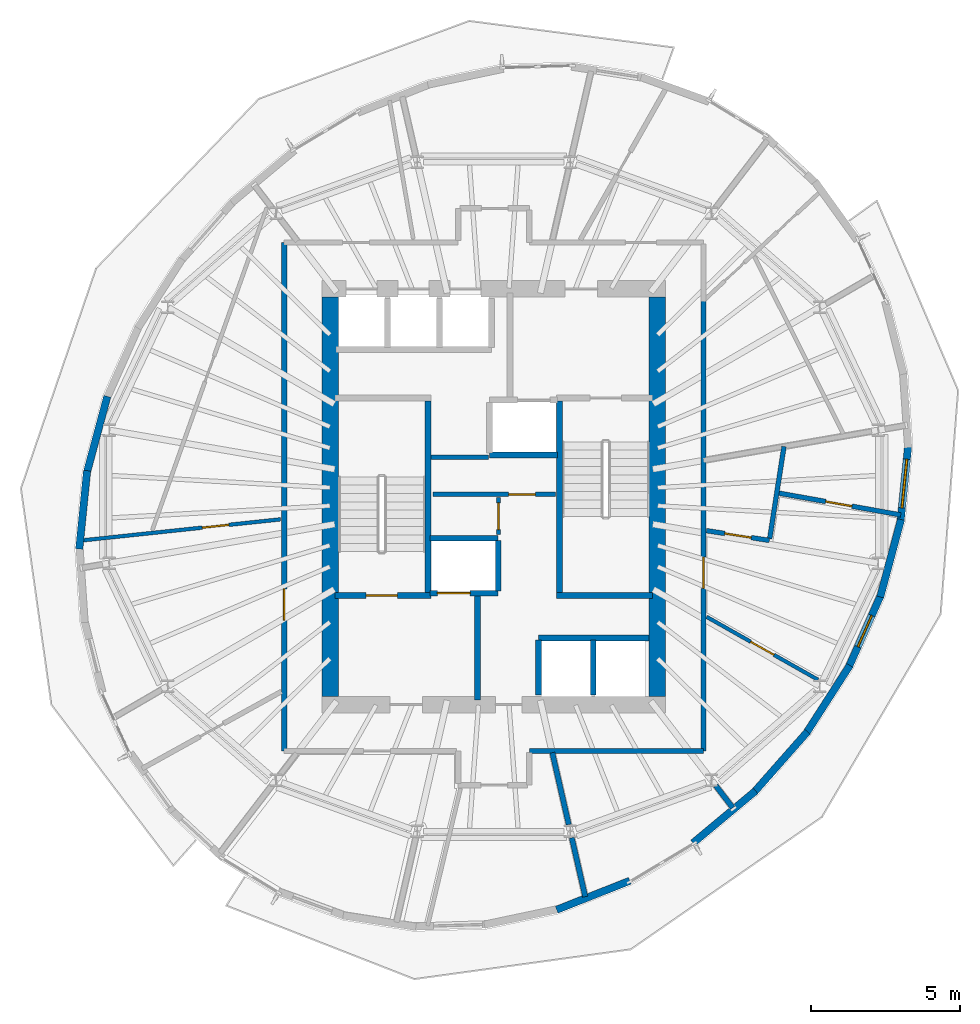
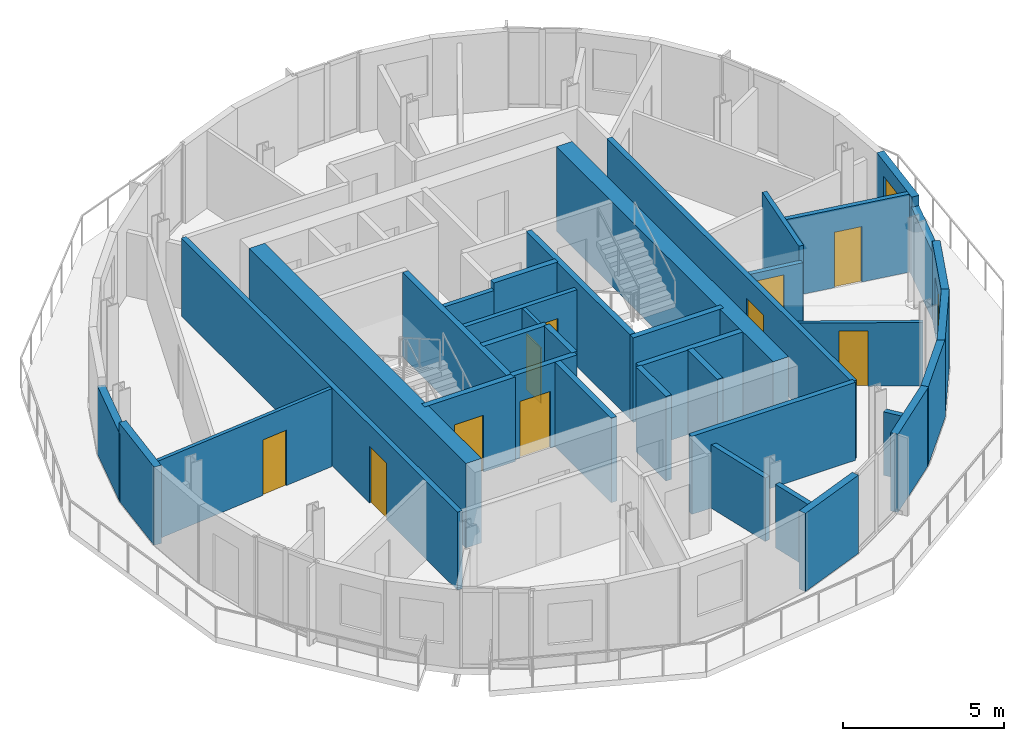
# One storey, part 5 of 11: 37 walls, 11 doors, 1 window, 12 openings.
"""IFC4 building model written with IfcOpenShell, lengths in metres."""

import ifcopenshell
import ifcopenshell.guid

model = None  # the IFC model being written
_history = None  # IfcOwnerHistory: only IFC2X3 demands one
_inside = {}  # id of a spatial element -> (the spatial element, [elements in it])
_under = {}  # id of a project, library or spatial element -> (it, [spatial elements below it])
_declared = {}  # id of a project -> (the project, [libraries it declares])
_typed = {}  # id of a type object -> (the type object, [elements of that type])
_made_of = {}  # id of a material, layer set ... -> (it, [elements and type objects made of it])


def new_model(schema):
    """Start an empty IFC model of exactly this schema.

    Asked for "IFC4X3", IfcOpenShell would pick the latest addendum, in which some entities
    have other attributes; the version numbers below select the first issue.
    IFC2X3 requires an IfcOwnerHistory on every rooted entity: one is made here for all.
    """
    global model, _history
    if schema == "IFC4X3":
        model = ifcopenshell.file(schema_version=(4, 3, 0, 0))
    else:
        model = ifcopenshell.file(schema=schema)
    _inside.clear()
    _under.clear()
    _declared.clear()
    _typed.clear()
    _made_of.clear()
    _history = None
    if model.schema == "IFC2X3":
        org = make("IfcOrganization", Name="unknown")
        user = make(
            "IfcPersonAndOrganization",
            ThePerson=make("IfcPerson", FamilyName="unknown"),
            TheOrganization=org,
        )
        app = make(
            "IfcApplication",
            ApplicationDeveloper=org,
            Version="unknown",
            ApplicationFullName="unknown",
            ApplicationIdentifier="unknown",
        )
        _history = make(
            "IfcOwnerHistory",
            OwningUser=user,
            OwningApplication=app,
            ChangeAction="ADDED",
            CreationDate=0,
        )
    return model


def make(cls, **values):
    """One entity of the class cls with the attributes given. An attribute that is None is left unset."""
    return model.create_entity(
        cls, **{name: value for name, value in values.items() if value is not None}
    )


def rooted(cls, **values):
    """An entity with a GlobalId (a new one), such as an element, a storey or a relation."""
    return make(cls, GlobalId=ifcopenshell.guid.new(), OwnerHistory=_history, **values)


def si_unit(unit_type, name, prefix=None):
    """IfcSIUnit, for example si_unit("LENGTHUNIT", "METRE", prefix="MILLI")."""
    return make("IfcSIUnit", UnitType=unit_type, Prefix=prefix, Name=name)


def assignment(units):
    """IfcUnitAssignment: the units of a project."""
    return None if units is None else make("IfcUnitAssignment", Units=units)


def point(xyz):
    """IfcCartesianPoint."""
    return None if xyz is None else make("IfcCartesianPoint", Coordinates=xyz)


def direction(xyz):
    """IfcDirection."""
    return None if xyz is None else make("IfcDirection", DirectionRatios=xyz)


def frame(location, z_axis=None, x_axis=None):
    """IfcAxis2Placement3D, a coordinate frame: its origin and axes. An axis left out is left unset."""
    return make(
        "IfcAxis2Placement3D",
        Location=point(location),
        Axis=direction(z_axis),
        RefDirection=direction(x_axis),
    )


def frame_2d(location, x_axis=None):
    """IfcAxis2Placement2D, a coordinate frame in the plane: its origin and x axis."""
    return make(
        "IfcAxis2Placement2D", Location=point(location), RefDirection=direction(x_axis)
    )


def origin():
    """The frame at (0, 0, 0) with its axes left unset."""
    return frame((0.0, 0.0, 0.0))


def place(relative_to, where):
    """IfcLocalPlacement: puts the frame where relative to a parent placement (None: the world)."""
    return make(
        "IfcLocalPlacement", PlacementRelTo=relative_to, RelativePlacement=where
    )


def context(
    kind, dimensions, precision=None, world=None, true_north=None, identifier=None
):
    """IfcGeometricRepresentationContext, for example the 3D "Model" context."""
    return make(
        "IfcGeometricRepresentationContext",
        ContextIdentifier=identifier,
        ContextType=kind,
        CoordinateSpaceDimension=dimensions,
        Precision=precision,
        WorldCoordinateSystem=world,
        TrueNorth=true_north,
    )


def subcontext(parent, identifier, kind, view, scale=None):
    """IfcGeometricRepresentationSubContext, for example "Body" below "Model"."""
    return make(
        "IfcGeometricRepresentationSubContext",
        ContextIdentifier=identifier,
        ContextType=kind,
        ParentContext=parent,
        TargetScale=scale,
        TargetView=view,
    )


def project(units=None, contexts=None):
    """IfcProject with its units and contexts."""
    return rooted(
        "IfcProject",
        Name="project",
        RepresentationContexts=contexts,
        UnitsInContext=assignment(units),
    )


def spatial(cls, under=None, at=None, **own):
    """A site, building, storey or space (cls), placed at a placement, below another one or the project."""
    s = rooted(cls, ObjectPlacement=at, **own)
    if under is not None:
        _under.setdefault(under.id(), (under, []))[1].append(s)
    return s


def profile(cls, at=None, kind="AREA", **sizes):
    """A parametric profile (cls). Its sizes go by their IFC names, for example OverallWidth=200.0."""
    return make(cls, ProfileType=kind, Position=at, **sizes)


def rectangle(**sizes):
    """IfcRectangleProfileDef."""
    return profile("IfcRectangleProfileDef", **sizes)


def extrude(swept, where, along, depth):
    """IfcExtrudedAreaSolid: the profile swept, set in the frame where, extruded along a direction by depth."""
    return make(
        "IfcExtrudedAreaSolid",
        SweptArea=swept,
        Position=where,
        ExtrudedDirection=direction(along),
        Depth=depth,
    )


def shape(context_of_items, identifier, shape_type, items):
    """IfcShapeRepresentation: the items that make up one representation, for example the "Body"."""
    return make(
        "IfcShapeRepresentation",
        ContextOfItems=context_of_items,
        RepresentationIdentifier=identifier,
        RepresentationType=shape_type,
        Items=items,
    )


def material(Name=None, Category=None):
    """IfcMaterial."""
    return make("IfcMaterial", Name=Name, Category=Category)


def layer(
    of_material, thickness, ventilated=None, Name=None, Category=None, Priority=None
):
    """IfcMaterialLayer: one layer of a wall or slab, of a material (None: an air gap)."""
    return make(
        "IfcMaterialLayer",
        Material=of_material,
        LayerThickness=thickness,
        IsVentilated=ventilated,
        Name=Name,
        Category=Category,
        Priority=Priority,
    )


def layer_set(layers, Name=None):
    """IfcMaterialLayerSet."""
    return make("IfcMaterialLayerSet", MaterialLayers=layers, LayerSetName=Name)


def made_of(thing, what):
    """Note that an element or type object is made of a material, layer set ...; save() writes the relation."""
    if what is not None:
        _made_of.setdefault(what.id(), (what, []))[1].append(thing)
    return thing


def type_object(cls, material=None, **own):
    """A type object (cls), such as IfcWallType, which elements share."""
    return made_of(rooted(cls, **own), material)


def element(
    cls,
    number,
    at=None,
    inside=None,
    cuts=None,
    type_object=None,
    material=None,
    context=None,
    identifier="Body",
    shape_type=None,
    held_by="IfcProductDefinitionShape",
    body=None,
    shapes=None,
    **own,
):
    """One element of the class cls, such as IfcWall. Its Tag is "e" and its number.

    at: its placement. inside: the storey or other place that contains it. cuts: it is an
    opening in that element (IfcRelVoidsElement). A single representation is given by context,
    identifier, shape_type and body (its items); several are given by shapes. held_by: the class
    of the entity that holds the representations. save() writes the other relations.
    """
    e = rooted(cls, Tag="e%d" % number, ObjectPlacement=at, **own)
    if body is not None:
        shapes = [shape(context, identifier, shape_type, body)]
    if shapes is not None:
        e.Representation = make(held_by, Representations=shapes)
    if inside is not None:
        _inside.setdefault(inside.id(), (inside, []))[1].append(e)
    if cuts is not None:
        rooted(
            "IfcRelVoidsElement", RelatingBuildingElement=cuts, RelatedOpeningElement=e
        )
    if type_object is not None:
        _typed.setdefault(type_object.id(), (type_object, []))[1].append(e)
    return made_of(e, material)


def fill(opening, filler):
    """IfcRelFillsElement: the door or window that sits in an opening."""
    return rooted(
        "IfcRelFillsElement",
        RelatingOpeningElement=opening,
        RelatedBuildingElement=filler,
    )


def aggregate(whole, parts):
    """IfcRelAggregates: a whole, such as a stair, and the parts it consists of."""
    return rooted("IfcRelAggregates", RelatingObject=whole, RelatedObjects=parts)


def save(model, path):
    """Write the relations noted so far, then the file.

    IfcRelAggregates (storeys below a building ...), IfcRelContainedInSpatialStructure (elements
    in a storey), IfcRelDefinesByType, IfcRelAssociatesMaterial and IfcRelDeclares: one each for
    every whole, place, type object, material and project.
    """
    for whole, parts in _under.values():
        aggregate(whole, parts)
    for where, things in _inside.values():
        rooted(
            "IfcRelContainedInSpatialStructure",
            RelatedElements=things,
            RelatingStructure=where,
        )
    for kind, things in _typed.values():
        rooted("IfcRelDefinesByType", RelatedObjects=things, RelatingType=kind)
    for what, things in _made_of.values():
        rooted("IfcRelAssociatesMaterial", RelatedObjects=things, RelatingMaterial=what)
    for by, libraries in _declared.values():
        rooted("IfcRelDeclares", RelatingContext=by, RelatedDefinitions=libraries)
    model.write(path)


model = new_model("IFC4")

# Units and contexts
model_context = context("Model", 3, precision=1e-05, world=origin(), true_north=direction((0.0, 1.0)))
body_context = subcontext(model_context, "Body", "Model", "MODEL_VIEW")
ifc_project = project(units=[si_unit("LENGTHUNIT", "METRE"), si_unit("AREAUNIT", "SQUARE_METRE"), si_unit("VOLUMEUNIT", "CUBIC_METRE"), si_unit("PLANEANGLEUNIT", "RADIAN"), si_unit("MASSUNIT", "GRAM", prefix="KILO")], contexts=[model_context])

# Site, building, storey
site_placement = place(None, origin())
site = spatial("IfcSite", under=ifc_project, at=site_placement, CompositionType="ELEMENT")
building_placement = place(site_placement, origin())
building = spatial("IfcBuilding", under=site, at=building_placement, Name="Veldorim Arch Residences", CompositionType="ELEMENT")
storey_placement = place(building_placement, frame((0.0, 0.0, 214.239990234375)))
storey = spatial("IfcBuildingStorey", under=building, at=storey_placement, Name="L64", CompositionType="ELEMENT", Elevation=214.239990234375)

# Wall, opening, door
ifc_material_1 = material(Name="Acoustic Gypsum Board", Category="gypsum")
ifc_layer_1 = layer(ifc_material_1, 0.125, Name="Acoustic Stud Room Partition Wall 125")
ifc_layer_set_1 = layer_set([ifc_layer_1], Name="Acoustic Gypsum Board")
wall_type_1 = type_object("IfcWallType", Name="Acoustic Stud Room Partition Wall 125", PredefinedType="PARTITIONING", material=ifc_layer_set_1)
wall_1_placement = place(storey_placement, frame((32.159912109375, 22.719970703125, 0.0), z_axis=(0.0, 0.0, 1.0), x_axis=(0.0, 1.0, 0.0)))
wall_1 = element("IfcWall", 1, at=wall_1_placement, inside=storey, type_object=wall_type_1, Name="L64 interior wall WL-CA-L64-2", PredefinedType="PARTITIONING", context=body_context, shape_type="SweptSolid", body=[
    extrude(rectangle(XDim=1.25, YDim=0.125, at=frame_2d((0.625, 0.0))), origin(), (0.0, 0.0, 1.0), 2.955078125),
])
opening_1_placement = place(wall_1_placement, frame((0.169921875, 0.0, 0.0)))
opening_1 = element("IfcOpeningElement", 2, at=opening_1_placement, cuts=wall_1, Name="Opening DR-SVC", PredefinedType="OPENING", context=body_context, shape_type="SweptSolid", body=[
    extrude(rectangle(XDim=0.89990234375, YDim=2.10009765625, at=frame_2d((0.449951171875, 1.050048828125))), frame((0.0, 0.072509765625, 0.0), z_axis=(0.0, -1.0, 0.0), x_axis=(1.0, 0.0, 0.0)), (0.0, 0.0, 1.0), 0.14501953125),
])
ifc_material_2 = material(Name="Fire-Rated Steel", Category="steel")
door_type_1 = type_object("IfcDoorType", Name="Riser, Shelter & Plant Room Rated Steel Door 900x2100", OperationType="SINGLE_SWING_LEFT", PredefinedType="DOOR", material=ifc_material_2)
door_1_placement = place(opening_1_placement, origin())
door_1 = element("IfcDoor", 3, at=door_1_placement, inside=storey, type_object=door_type_1, Name="L64 interior door DR-L64-CA2", OperationType="SINGLE_SWING_RIGHT", OverallHeight=2.10009765625, OverallWidth=0.89990234375, PredefinedType="DOOR", context=body_context, shape_type="SweptSolid", body=[
    extrude(rectangle(XDim=0.89990234375, YDim=2.10009765625, at=frame_2d((0.449951171875, 1.050048828125))), frame((0.0, 0.02490234375, 0.0), z_axis=(0.0, -1.0, 0.0), x_axis=(1.0, 0.0, 0.0)), (0.0, 0.0, 1.0), 0.050048828125),
])
fill(opening_1, door_1)

wall_2_placement = place(storey_placement, frame((42.916748046875, 17.83740234375, 0.0), z_axis=(0.0, 0.0, 1.0), x_axis=(-0.870825482781, 0.491592288933, 0.0)))
wall_2 = element("IfcWall", 4, at=wall_2_placement, inside=storey, type_object=wall_type_1, Name="L64 interior wall WL-RES-L64-018", PredefinedType="PARTITIONING", context=body_context, shape_type="SweptSolid", body=[
    extrude(rectangle(XDim=4.308837890625, YDim=0.125, at=frame_2d((2.154296875, 0.0))), origin(), (0.0, 0.0, 1.0), 2.4033203125),
])
opening_2_placement = place(wall_2_placement, frame((1.70458984375, 0.0, 0.0)))
opening_2 = element("IfcOpeningElement", 5, at=opening_2_placement, cuts=wall_2, Name="Opening DR-INT", PredefinedType="OPENING", context=body_context, shape_type="SweptSolid", body=[
    extrude(rectangle(XDim=0.89990234375, YDim=2.10009765625, at=frame_2d((0.449951171875, 1.050048828125))), frame((0.0, 0.072509765625, 0.0), z_axis=(0.0, -1.0, 0.0), x_axis=(1.0, 0.0, 0.0)), (0.0, 0.0, 1.0), 0.14501953125),
])
ifc_material_3 = material(Name="Engineered Timber", Category="wood")
door_type_2 = type_object("IfcDoorType", Name="Apartment Internal Room Timber Door 900x2100", OperationType="SINGLE_SWING_LEFT", PredefinedType="DOOR", material=ifc_material_3)
door_2_placement = place(opening_2_placement, origin())
door_2 = element("IfcDoor", 6, at=door_2_placement, inside=storey, type_object=door_type_2, Name="L64 interior door DR-RES-L64-005", OperationType="SINGLE_SWING_LEFT", OverallHeight=2.10009765625, OverallWidth=0.89990234375, PredefinedType="DOOR", context=body_context, shape_type="SweptSolid", body=[
    extrude(rectangle(XDim=0.89990234375, YDim=2.10009765625, at=frame_2d((0.449951171875, 1.050048828125))), frame((0.0, 0.02490234375, 0.0), z_axis=(0.0, -1.0, 0.0), x_axis=(1.0, 0.0, 0.0)), (0.0, 0.0, 1.0), 0.050048828125),
])
fill(opening_2, door_2)

wall_3_placement = place(storey_placement, frame((18.085693359375, 22.5224609375, 0.0), z_axis=(0.0, 0.0, 1.0), x_axis=(0.994410835851, 0.105579778091, 0.0)))
wall_3 = element("IfcWall", 7, at=wall_3_placement, inside=storey, type_object=wall_type_1, Name="L64 interior wall WL-RES-L64-029", PredefinedType="PARTITIONING", context=body_context, shape_type="SweptSolid", body=[
    extrude(rectangle(XDim=6.77294921875, YDim=0.125, at=frame_2d((3.386474609375, 0.0))), origin(), (0.0, 0.0, 1.0), 2.955078125),
])
opening_3_placement = place(wall_3_placement, frame((4.124267578125, 0.0, 0.0)))
opening_3 = element("IfcOpeningElement", 8, at=opening_3_placement, cuts=wall_3, Name="Opening DR-INT", PredefinedType="OPENING", context=body_context, shape_type="SweptSolid", body=[
    extrude(rectangle(XDim=0.89990234375, YDim=2.10009765625, at=frame_2d((0.449951171875, 1.050048828125))), frame((0.0, 0.072509765625, 0.0), z_axis=(0.0, -1.0, 0.0), x_axis=(1.0, 0.0, 0.0)), (0.0, 0.0, 1.0), 0.14501953125),
])
door_3_placement = place(opening_3_placement, origin())
door_3 = element("IfcDoor", 9, at=door_3_placement, inside=storey, type_object=door_type_2, Name="L64 interior door DR-RES-L64-015", OperationType="SINGLE_SWING_LEFT", OverallHeight=2.10009765625, OverallWidth=0.89990234375, PredefinedType="DOOR", context=body_context, shape_type="SweptSolid", body=[
    extrude(rectangle(XDim=0.89990234375, YDim=2.10009765625, at=frame_2d((0.449951171875, 1.050048828125))), frame((0.0, 0.02490234375, 0.0), z_axis=(0.0, -1.0, 0.0), x_axis=(1.0, 0.0, 0.0)), (0.0, 0.0, 1.0), 0.050048828125),
])
fill(opening_3, door_3)

# Walls
ifc_material_4 = material(Name="Lightweight Masonry Block & Gypsum", Category="masonry")
ifc_layer_2 = layer(ifc_material_4, 0.179931640625, Name="Compartment & Corridor Fire-Rated Party Wall 180")
ifc_layer_set_2 = layer_set([ifc_layer_2], Name="Lightweight Masonry Block & Gypsum")
wall_type_2 = type_object("IfcWallType", Name="Compartment & Corridor Fire-Rated Party Wall 180", PredefinedType="PARTITIONING", material=ifc_layer_set_2)
wall_4_placement = place(storey_placement, frame((34.62646484375, 12.516845703125, 0.0), z_axis=(0.0, 0.0, 1.0), x_axis=(0.222932254148, -0.974833939736, 0.0)))
element("IfcWall", 10, at=wall_4_placement, inside=storey, type_object=wall_type_2, Name="L64 interior wall WL-PIER-L64-13", PredefinedType="PARTITIONING", context=body_context, shape_type="SweptSolid", body=[
    extrude(rectangle(XDim=2.035888671875, YDim=0.179931640625, at=frame_2d((1.01806640625, 0.0))), origin(), (0.0, 0.0, 1.0), 2.4033203125),
])
wall_5_placement = place(storey_placement, frame((39.473388671875, 14.272705078125, 0.0), z_axis=(0.0, 0.0, 1.0), x_axis=(0.60903478373, -0.793143512995, 0.0)))
element("IfcWall", 11, at=wall_5_placement, inside=storey, type_object=wall_type_2, Name="L64 interior wall WL-PIER-L64-14", PredefinedType="PARTITIONING", context=body_context, shape_type="SweptSolid", body=[
    extrude(rectangle(XDim=0.94287109375, YDim=0.179931640625, at=frame_2d((0.471435546875, 0.0))), origin(), (0.0, 0.0, 1.0), 2.4033203125),
])
wall_6_placement = place(storey_placement, frame((39.06005859375, 15.43994140625, 0.0), z_axis=(0.0, 0.0, 1.0), x_axis=(-1.0, 0.0, 0.0)))
element("IfcWall", 12, at=wall_6_placement, inside=storey, type_object=wall_type_2, Name="L64 interior wall WL-RES-L64-001", PredefinedType="PARTITIONING", context=body_context, shape_type="SweptSolid", body=[
    extrude(rectangle(XDim=5.860107421875, YDim=0.179931640625, at=frame_2d((2.93017578125, 0.0))), origin(), (0.0, 0.0, 1.0), 2.955078125),
])

# Wall, opening, door
wall_7_placement = place(storey_placement, frame((39.06005859375, 30.622802734375, 0.0), z_axis=(0.0, 0.0, 1.0), x_axis=(0.0, -1.0, 0.0)))
wall_7 = element("IfcWall", 13, at=wall_7_placement, inside=storey, type_object=wall_type_2, Name="L64 interior wall WL-RES-L64-006", PredefinedType="PARTITIONING", context=body_context, shape_type="SweptSolid", body=[
    extrude(rectangle(XDim=15.182861328125, YDim=0.179931640625, at=frame_2d((7.59130859375, 0.0))), origin(), (0.0, 0.0, 1.0), 2.955078125),
])
opening_4_placement = place(wall_7_placement, frame((8.656005859375, 0.0, 0.0)))
opening_4 = element("IfcOpeningElement", 14, at=opening_4_placement, cuts=wall_7, Name="Opening DR-FLT", PredefinedType="OPENING", context=body_context, shape_type="SweptSolid", body=[
    extrude(rectangle(XDim=1.050048828125, YDim=2.14990234375, at=frame_2d((0.52490234375, 1.074951171875))), frame((0.0, 0.099853515625, 0.0), z_axis=(0.0, -1.0, 0.0), x_axis=(1.0, 0.0, 0.0)), (0.0, 0.0, 1.0), 0.199951171875),
])
ifc_material_5 = material(Name="Fire-Rated Timber", Category="wood")
door_type_3 = type_object("IfcDoorType", Name="Apartment Entrance Solid-Core Fire Door 1050x2150", OperationType="SINGLE_SWING_LEFT", PredefinedType="DOOR", material=ifc_material_5)
door_4_placement = place(opening_4_placement, origin())
door_4 = element("IfcDoor", 15, at=door_4_placement, inside=storey, type_object=door_type_3, Name="L64 interior door DR-RES-L64-003", OperationType="SINGLE_SWING_LEFT", OverallHeight=2.14990234375, OverallWidth=1.050048828125, PredefinedType="DOOR", context=body_context, shape_type="SweptSolid", body=[
    extrude(rectangle(XDim=1.050048828125, YDim=2.14990234375, at=frame_2d((0.52490234375, 1.074951171875))), frame((0.0, 0.02490234375, 0.0), z_axis=(0.0, -1.0, 0.0), x_axis=(1.0, 0.0, 0.0)), (0.0, 0.0, 1.0), 0.050048828125),
])
fill(opening_4, door_4)

wall_8_placement = place(storey_placement, frame((24.93994140625, 15.43994140625, 0.0), z_axis=(0.0, 0.0, 1.0), x_axis=(0.0, 1.0, 0.0)))
wall_8 = element("IfcWall", 16, at=wall_8_placement, inside=storey, type_object=wall_type_2, Name="L64 interior wall WL-RES-L64-013", PredefinedType="PARTITIONING", context=body_context, shape_type="SweptSolid", body=[
    extrude(rectangle(XDim=17.1201171875, YDim=0.179931640625, at=frame_2d((8.56005859375, 0.0))), origin(), (0.0, 0.0, 1.0), 2.955078125),
])
opening_5_placement = place(wall_8_placement, frame((4.404296875, 0.0, 0.0)))
opening_5 = element("IfcOpeningElement", 17, at=opening_5_placement, cuts=wall_8, Name="Opening DR-FLT", PredefinedType="OPENING", context=body_context, shape_type="SweptSolid", body=[
    extrude(rectangle(XDim=1.050048828125, YDim=2.14990234375, at=frame_2d((0.52490234375, 1.074951171875))), frame((0.0, 0.099853515625, 0.0), z_axis=(0.0, -1.0, 0.0), x_axis=(1.0, 0.0, 0.0)), (0.0, 0.0, 1.0), 0.199951171875),
])
door_5_placement = place(opening_5_placement, origin())
door_5 = element("IfcDoor", 18, at=door_5_placement, inside=storey, type_object=door_type_3, Name="L64 interior door DR-RES-L64-013", OperationType="SINGLE_SWING_LEFT", OverallHeight=2.14990234375, OverallWidth=1.050048828125, PredefinedType="DOOR", context=body_context, shape_type="SweptSolid", body=[
    extrude(rectangle(XDim=1.050048828125, YDim=2.14990234375, at=frame_2d((0.52490234375, 1.074951171875))), frame((0.0, 0.02490234375, 0.0), z_axis=(0.0, -1.0, 0.0), x_axis=(1.0, 0.0, 0.0)), (0.0, 0.0, 1.0), 0.050048828125),
])
fill(opening_5, door_5)

# Walls
wall_9_placement = place(storey_placement, frame((33.97119140625, 15.381591796875, 0.0), z_axis=(0.0, 0.0, 1.0), x_axis=(0.222950196428, -0.974829836388, 0.0)))
element("IfcWall", 19, at=wall_9_placement, inside=storey, type_object=wall_type_2, Name="L64 interior wall WL-RES-L64-015", PredefinedType="PARTITIONING", context=body_context, shape_type="SweptSolid", body=[
    extrude(rectangle(XDim=2.484619140625, YDim=0.179931640625, at=frame_2d((1.2421875, 0.0))), origin(), (0.0, 0.0, 1.0), 2.4033203125),
])
ifc_material_6 = material(Name="Concrete C50/60", Category="concrete")
ifc_layer_3 = layer(ifc_material_6, 0.199951171875, Name="Core Stair & Lift Shaft Enclosure Wall 200")
ifc_layer_set_3 = layer_set([ifc_layer_3], Name="Concrete C50/60")
wall_type_3 = type_object("IfcWallType", Name="Core Stair & Lift Shaft Enclosure Wall 200", PredefinedType="SHEAR", material=ifc_layer_set_3)
wall_10_placement = place(storey_placement, frame((29.7900390625, 20.780029296875, 0.0), z_axis=(0.0, 0.0, 1.0), x_axis=(0.0, 1.0, 0.0)))
element("IfcWall", 20, at=wall_10_placement, inside=storey, type_object=wall_type_3, Name="L64 shaft wall WL-SHF-L64-ST1-E", PredefinedType="SHEAR", context=body_context, shape_type="SweptSolid", body=[
    extrude(rectangle(XDim=6.43994140625, YDim=0.199951171875, at=frame_2d((3.219970703125, 0.0))), origin(), (0.0, 0.0, 1.0), 3.199951171875),
])

# Wall, opening, door
wall_11_placement = place(storey_placement, frame((26.64990234375, 20.669921875, 0.0), z_axis=(0.0, 0.0, 1.0), x_axis=(1.0, 0.0, 0.0)))
wall_11 = element("IfcWall", 21, at=wall_11_placement, inside=storey, type_object=wall_type_3, Name="L64 shaft wall WL-SHF-L64-ST1-S", PredefinedType="SHEAR", context=body_context, shape_type="SweptSolid", body=[
    extrude(rectangle(XDim=3.239990234375, YDim=0.199951171875, at=frame_2d((1.6201171875, 0.0))), origin(), (0.0, 0.0, 1.0), 3.199951171875),
])
opening_6_placement = place(wall_11_placement, frame((1.054931640625, 0.0, 0.0)))
opening_6 = element("IfcOpeningElement", 22, at=opening_6_placement, cuts=wall_11, Name="Opening DR-ST", PredefinedType="OPENING", context=body_context, shape_type="SweptSolid", body=[
    extrude(rectangle(XDim=1.050048828125, YDim=2.14990234375, at=frame_2d((0.52490234375, 1.074951171875))), frame((0.0, 0.10986328125, 0.0), z_axis=(0.0, -1.0, 0.0), x_axis=(1.0, 0.0, 0.0)), (0.0, 0.0, 1.0), 0.219970703125),
])
ifc_material_7 = material(Name="Fire-Rated Steel", Category="steel")
door_type_4 = type_object("IfcDoorType", Name="Exit Staircase Self-Closing Fire Door 1050x2150", OperationType="SINGLE_SWING_LEFT", PredefinedType="DOOR", material=ifc_material_7)
door_6_placement = place(opening_6_placement, origin())
door_6 = element("IfcDoor", 23, at=door_6_placement, inside=storey, type_object=door_type_4, Name="L64 interior door DR-L64-ST1", OperationType="SINGLE_SWING_LEFT", OverallHeight=2.14990234375, OverallWidth=1.050048828125, PredefinedType="DOOR", context=body_context, shape_type="SweptSolid", body=[
    extrude(rectangle(XDim=1.050048828125, YDim=2.14990234375, at=frame_2d((0.52490234375, 1.074951171875))), frame((0.0, 0.02490234375, 0.0), z_axis=(0.0, -1.0, 0.0), x_axis=(1.0, 0.0, 0.0)), (0.0, 0.0, 1.0), 0.050048828125),
])
fill(opening_6, door_6)

# Walls
wall_12_placement = place(storey_placement, frame((34.2099609375, 20.780029296875, 0.0), z_axis=(0.0, 0.0, 1.0), x_axis=(0.0, 1.0, 0.0)))
element("IfcWall", 24, at=wall_12_placement, inside=storey, type_object=wall_type_3, Name="L64 shaft wall WL-SHF-L64-ST2-W", PredefinedType="SHEAR", context=body_context, shape_type="SweptSolid", body=[
    extrude(rectangle(XDim=6.43994140625, YDim=0.199951171875, at=frame_2d((3.219970703125, 0.0))), origin(), (0.0, 0.0, 1.0), 3.199951171875),
])
wall_13_placement = place(storey_placement, frame((34.110107421875, 20.669921875, 0.0), z_axis=(0.0, 0.0, 1.0), x_axis=(1.0, 0.0, 0.0)))
element("IfcWall", 25, at=wall_13_placement, inside=storey, type_object=wall_type_3, Name="L64 shaft wall WL-SHF-L64-ST2-S", PredefinedType="SHEAR", context=body_context, shape_type="SweptSolid", body=[
    extrude(rectangle(XDim=3.239990234375, YDim=0.199951171875, at=frame_2d((1.6201171875, 0.0))), origin(), (0.0, 0.0, 1.0), 3.199951171875),
])
wall_14_placement = place(storey_placement, frame((31.449951171875, 17.14990234375, 0.0), z_axis=(0.0, 0.0, 1.0), x_axis=(0.0, 1.0, 0.0)))
element("IfcWall", 26, at=wall_14_placement, inside=storey, type_object=wall_type_3, Name="L64 shaft wall WL-FFL1-L64-E", PredefinedType="SHEAR", context=body_context, shape_type="SweptSolid", body=[
    extrude(rectangle(XDim=3.5, YDim=0.199951171875, at=frame_2d((1.75, 0.0))), origin(), (0.0, 0.0, 1.0), 3.199951171875),
])

# Wall, opening, door
wall_15_placement = place(storey_placement, frame((29.85009765625, 20.75, 0.0), z_axis=(0.0, 0.0, 1.0), x_axis=(1.0, 0.0, 0.0)))
wall_15 = element("IfcWall", 27, at=wall_15_placement, inside=storey, type_object=wall_type_3, Name="L64 shaft wall WL-FL01-L64-S", PredefinedType="SHEAR", context=body_context, shape_type="SweptSolid", body=[
    extrude(rectangle(XDim=2.2998046875, YDim=0.199951171875, at=frame_2d((1.14990234375, 0.0))), origin(), (0.0, 0.0, 1.0), 3.199951171875),
])
opening_7_placement = place(wall_15_placement, frame((0.25, 0.0, 0.0)))
opening_7 = element("IfcOpeningElement", 28, at=opening_7_placement, cuts=wall_15, Name="Opening LD-FF", PredefinedType="OPENING", context=body_context, shape_type="SweptSolid", body=[
    extrude(rectangle(XDim=1.10009765625, YDim=2.14990234375, at=frame_2d((0.550048828125, 1.074951171875))), frame((0.0, 0.10986328125, 0.0), z_axis=(0.0, -1.0, 0.0), x_axis=(1.0, 0.0, 0.0)), (0.0, 0.0, 1.0), 0.219970703125),
])
ifc_material_8 = material(Name="Stainless Steel", Category="steel")
door_type_5 = type_object("IfcDoorType", Name="Firefighting Lift Bi-Parting Sliding Landing Door 1100x2150", OperationType="DOUBLE_DOOR_SLIDING", PredefinedType="DOOR", material=ifc_material_8)
door_7_placement = place(opening_7_placement, origin())
door_7 = element("IfcDoor", 29, at=door_7_placement, inside=storey, type_object=door_type_5, Name="L64 lift landing door LD-L64-FL01", OperationType="DOUBLE_DOOR_SLIDING", OverallHeight=2.14990234375, OverallWidth=1.10009765625, PredefinedType="DOOR", context=body_context, shape_type="SweptSolid", body=[
    extrude(rectangle(XDim=1.10009765625, YDim=2.14990234375, at=frame_2d((0.550048828125, 1.074951171875))), frame((0.0, 0.02490234375, 0.0), z_axis=(0.0, -1.0, 0.0), x_axis=(1.0, 0.0, 0.0)), (0.0, 0.0, 1.0), 0.050048828125),
])
fill(opening_7, door_7)

# Walls
wall_16_placement = place(storey_placement, frame((29.85009765625, 22.60009765625, 0.0), z_axis=(0.0, 0.0, 1.0), x_axis=(1.0, 0.0, 0.0)))
element("IfcWall", 30, at=wall_16_placement, inside=storey, type_object=wall_type_3, Name="L64 shaft wall WL-FL01-L64-N", PredefinedType="SHEAR", context=body_context, shape_type="SweptSolid", body=[
    extrude(rectangle(XDim=2.2998046875, YDim=0.199951171875, at=frame_2d((1.14990234375, 0.0))), origin(), (0.0, 0.0, 1.0), 3.199951171875),
])
wall_17_placement = place(storey_placement, frame((32.14990234375, 20.820068359375, 0.0), z_axis=(0.0, 0.0, 1.0), x_axis=(0.0, 1.0, 0.0)))
element("IfcWall", 31, at=wall_17_placement, inside=storey, type_object=wall_type_3, Name="L64 shaft wall WL-FL01-L64-E", PredefinedType="SHEAR", context=body_context, shape_type="SweptSolid", body=[
    extrude(rectangle(XDim=1.7099609375, YDim=0.199951171875, at=frame_2d((0.85498046875, 0.0))), origin(), (0.0, 0.0, 1.0), 3.199951171875),
])
wall_18_placement = place(storey_placement, frame((31.85009765625, 25.39990234375, 0.0), z_axis=(0.0, 0.0, 1.0), x_axis=(1.0, 0.0, 0.0)))
element("IfcWall", 32, at=wall_18_placement, inside=storey, type_object=wall_type_3, Name="L64 shaft wall WL-FL02-L64-S", PredefinedType="SHEAR", context=body_context, shape_type="SweptSolid", body=[
    extrude(rectangle(XDim=2.2998046875, YDim=0.199951171875, at=frame_2d((1.14990234375, 0.0))), origin(), (0.0, 0.0, 1.0), 3.199951171875),
])
wall_19_placement = place(storey_placement, frame((33.5, 19.25, 0.0), z_axis=(0.0, 0.0, 1.0), x_axis=(1.0, 0.0, 0.0)))
element("IfcWall", 33, at=wall_19_placement, inside=storey, type_object=wall_type_3, Name="L64 shaft wall WL-OL-L64-N", PredefinedType="SHEAR", context=body_context, shape_type="SweptSolid", body=[
    extrude(rectangle(XDim=3.719970703125, YDim=0.199951171875, at=frame_2d((1.85986328125, 0.0))), origin(), (0.0, 0.0, 1.0), 3.199951171875),
])
for number, where, z_axis, x_axis, name in (
    (34, (33.5, 17.320068359375, 0.0), (0.0, 0.0, 1.0), (0.0, 1.0, 0.0), "L64 shaft wall WL-OL-L64-W"),
    (35, (35.35009765625, 17.320068359375, 0.0), (0.0, 0.0, 1.0), (0.0, 1.0, 0.0), "L64 shaft wall WL-OL-L64-D1"),
):
    element("IfcWall", number, at=place(storey_placement, frame(where, z_axis=z_axis, x_axis=x_axis)), inside=storey, type_object=wall_type_3, Name=name, PredefinedType="SHEAR", context=body_context, shape_type="SweptSolid", body=[
        extrude(rectangle(XDim=1.85986328125, YDim=0.199951171875, at=frame_2d((0.929931640625, 0.0))), origin(), (0.0, 0.0, 1.0), 3.199951171875),
    ])
ifc_material_9 = material(Name="Precast concrete C40/50", Category="concrete")
ifc_layer_4 = layer(ifc_material_9, 0.25, Name="Tower Terracotta Spandrel & Pier Wall 250")
ifc_layer_set_4 = layer_set([ifc_layer_4], Name="Precast concrete C40/50")
wall_type_4 = type_object("IfcWallType", Name="Tower Terracotta Spandrel & Pier Wall 250", PredefinedType="SOLIDWALL", material=ifc_layer_set_4)
wall_20_placement = place(storey_placement, frame((18.28759765625, 24.768310546875, 0.0), z_axis=(0.0, 0.0, 1.0), x_axis=(0.259023691836, 0.965870968126, 0.0)))
element("IfcWall", 36, at=wall_20_placement, inside=storey, type_object=wall_type_4, Name="L64 terracotta facade wall 12", PredefinedType="SOLIDWALL", context=body_context, shape_type="SweptSolid", body=[
    extrude(rectangle(XDim=2.701416015625, YDim=0.25, at=frame_2d((1.3505859375, 0.0))), origin(), (0.0, 0.0, 1.0), 2.576904296875),
])
for number, where, z_axis, x_axis, name in (
    (37, (18.0419921875, 22.238525390625, 0.0), (0.0, 0.0, 1.0), (0.100196668354, 0.99496765156, 0.0), "L64 terracotta facade wall 13"),
    (38, (36.580322265625, 11.066650390625, 0.0), (0.0, 0.0, 1.0), (-0.929861098324, -0.36791077427, 0.0), "L64 terracotta facade wall 24"),
):
    element("IfcWall", number, at=place(storey_placement, frame(where, z_axis=z_axis, x_axis=x_axis)), inside=storey, type_object=wall_type_4, Name=name, PredefinedType="SOLIDWALL", context=body_context, shape_type="SweptSolid", body=[
        extrude(rectangle(XDim=2.651123046875, YDim=0.25, at=frame_2d((1.32568359375, 0.0))), origin(), (0.0, 0.0, 1.0), 2.9599609375),
    ])
wall_21_placement = place(storey_placement, frame((40.815673828125, 14.093505859375, 0.0), z_axis=(0.0, 0.0, 1.0), x_axis=(-0.76821397209, -0.640193168571, 0.0)))
element("IfcWall", 39, at=wall_21_placement, inside=storey, type_object=wall_type_4, Name="L64 terracotta facade wall 26", PredefinedType="SOLIDWALL", context=body_context, shape_type="SweptSolid", body=[
    extrude(rectangle(XDim=2.738525390625, YDim=0.25, at=frame_2d((1.369140625, 0.0))), origin(), (0.0, 0.0, 1.0), 2.9599609375),
])
for number, where, z_axis, x_axis, name in (
    (40, (42.562744140625, 16.08544921875, 0.0), (0.0, 0.0, 1.0), (-0.661694827408, -0.749773269317, 0.0), "L64 terracotta facade wall 27"),
    (41, (43.98828125, 18.31884765625, 0.0), (0.0, 0.0, 1.0), (-0.540690479286, -0.841221615039, 0.0), "L64 terracotta facade wall 28"),
):
    element("IfcWall", number, at=place(storey_placement, frame(where, z_axis=z_axis, x_axis=x_axis)), inside=storey, type_object=wall_type_4, Name=name, PredefinedType="SOLIDWALL", context=body_context, shape_type="SweptSolid", body=[
        extrude(rectangle(XDim=2.758056640625, YDim=0.25, at=frame_2d((1.37890625, 0.0))), origin(), (0.0, 0.0, 1.0), 2.9599609375),
    ])

# Wall, opening, door
wall_22_placement = place(storey_placement, frame((45.049072265625, 20.7255859375, 0.0), z_axis=(0.0, 0.0, 1.0), x_axis=(-0.40624599189, -0.913763751783, 0.0)))
wall_22 = element("IfcWall", 42, at=wall_22_placement, inside=storey, type_object=wall_type_4, Name="L64 terracotta facade wall 29", PredefinedType="SOLIDWALL", context=body_context, shape_type="SweptSolid", body=[
    extrude(rectangle(XDim=2.738525390625, YDim=0.25, at=frame_2d((1.369140625, 0.0))), origin(), (0.0, 0.0, 1.0), 2.9599609375),
])
opening_8_placement = place(wall_22_placement, frame((0.7939453125, 0.0, 0.0)))
opening_8 = element("IfcOpeningElement", 43, at=opening_8_placement, cuts=wall_22, Name="Opening BL-DR", PredefinedType="OPENING", context=body_context, shape_type="SweptSolid", body=[
    extrude(rectangle(XDim=1.14990234375, YDim=2.199951171875, at=frame_2d((0.574951171875, 1.10009765625))), frame((0.0, 0.135009765625, 0.0), z_axis=(0.0, -1.0, 0.0), x_axis=(1.0, 0.0, 0.0)), (0.0, 0.0, 1.0), 0.27001953125),
])
ifc_material_10 = material(Name="Aluminium & Low-E Glass", Category="aluminium")
door_type_6 = type_object("IfcDoorType", Name="Glazed Planted Balcony Door 1150x2200", OperationType="SINGLE_SWING_LEFT", PredefinedType="DOOR", material=ifc_material_10)
door_8_placement = place(opening_8_placement, origin())
door_8 = element("IfcDoor", 44, at=door_8_placement, inside=storey, type_object=door_type_6, Name="L64 glazed outdoor terrace door BALC-2", OperationType="SINGLE_SWING_LEFT", OverallHeight=2.199951171875, OverallWidth=1.14990234375, PredefinedType="DOOR", context=body_context, shape_type="SweptSolid", body=[
    extrude(rectangle(XDim=1.14990234375, YDim=2.199951171875, at=frame_2d((0.574951171875, 1.10009765625))), frame((0.0, 0.02490234375, 0.0), z_axis=(0.0, -1.0, 0.0), x_axis=(1.0, 0.0, 0.0)), (0.0, 0.0, 1.0), 0.050048828125),
])
fill(opening_8, door_8)

# Wall
wall_23_placement = place(storey_placement, frame((45.71240234375, 23.231689453125, 0.0), z_axis=(0.0, 0.0, 1.0), x_axis=(-0.259023691836, -0.965870968126, 0.0)))
element("IfcWall", 45, at=wall_23_placement, inside=storey, type_object=wall_type_4, Name="L64 terracotta facade wall 30", PredefinedType="SOLIDWALL", context=body_context, shape_type="SweptSolid", body=[
    extrude(rectangle(XDim=2.701416015625, YDim=0.25, at=frame_2d((1.3505859375, 0.0))), origin(), (0.0, 0.0, 1.0), 2.576904296875),
])

# Wall, opening, window
wall_24_placement = place(storey_placement, frame((45.9580078125, 25.761474609375, 0.0), z_axis=(0.0, 0.0, 1.0), x_axis=(-0.100196668354, -0.99496765156, 0.0)))
wall_24 = element("IfcWall", 46, at=wall_24_placement, inside=storey, type_object=wall_type_4, Name="L64 terracotta facade wall 31", PredefinedType="SOLIDWALL", context=body_context, shape_type="SweptSolid", body=[
    extrude(rectangle(XDim=2.651123046875, YDim=0.25, at=frame_2d((1.32568359375, 0.0))), origin(), (0.0, 0.0, 1.0), 2.9599609375),
])
opening_9_placement = place(wall_24_placement, frame((0.5009765625, 0.0, 0.85009765625)))
opening_9 = element("IfcOpeningElement", 47, at=opening_9_placement, cuts=wall_24, Name="Opening WN-03", PredefinedType="OPENING", context=body_context, shape_type="SweptSolid", body=[
    extrude(rectangle(XDim=1.64990234375, YDim=1.550048828125, at=frame_2d((0.824951171875, 0.77490234375))), frame((0.0, 0.135009765625, 0.0), z_axis=(0.0, -1.0, 0.0), x_axis=(1.0, 0.0, 0.0)), (0.0, 0.0, 1.0), 0.27001953125),
])
ifc_material_11 = material(Name="Laminated Low-E Glass", Category="glass")
window_type = type_object("IfcWindowType", Name="Residential Wide Window 1650x1550", PartitioningType="SINGLE_PANEL", PredefinedType="WINDOW", material=ifc_material_11)
window_placement = place(opening_9_placement, origin())
window = element("IfcWindow", 48, at=window_placement, inside=storey, type_object=window_type, Name="L64 solar-control facade window 31", OverallHeight=1.550048828125, OverallWidth=1.64990234375, PartitioningType="SINGLE_PANEL", PredefinedType="WINDOW", context=body_context, shape_type="SweptSolid", body=[
    extrude(rectangle(XDim=1.64990234375, YDim=1.550048828125, at=frame_2d((0.824951171875, 0.77490234375))), frame((0.0, 0.030029296875, 0.0), z_axis=(0.0, -1.0, 0.0), x_axis=(1.0, 0.0, 0.0)), (0.0, 0.0, 1.0), 0.06005859375),
])
fill(opening_9, window)

# Walls
ifc_material_12 = material(Name="Concrete C50/60", Category="concrete")
ifc_layer_5 = layer(ifc_material_12, 0.5, Name="Upper Central Core Shear Wall 560")
ifc_layer_set_5 = layer_set([ifc_layer_5], Name="Concrete C50/60")
wall_type_5 = type_object("IfcWallType", Name="Upper Central Core Shear Wall 560", PredefinedType="SHEAR", material=ifc_layer_set_5)
for number, where, z_axis, x_axis, name in (
    (49, (26.5, 17.280029296875, 0.0), (0.0, 0.0, 1.0), (0.0, 1.0, 0.0), "L64 central core west shear wall"),
    (50, (37.5, 17.280029296875, 0.0), (0.0, 0.0, 1.0), (0.0, 1.0, 0.0), "L64 central core east shear wall"),
):
    element("IfcWall", number, at=place(storey_placement, frame(where, z_axis=z_axis, x_axis=x_axis)), inside=storey, type_object=wall_type_5, Name=name, PredefinedType="SHEAR", context=body_context, shape_type="SweptSolid", body=[
        extrude(rectangle(XDim=13.43994140625, YDim=0.56005859375, at=frame_2d((6.719970703125, 0.0))), origin(), (0.0, 0.0, 1.0), 3.199951171875),
    ])

# Wall, opening, door
ifc_material_13 = material(Name="Moisture-Resistant Gypsum & Stud", Category="gypsum")
ifc_layer_6 = layer(ifc_material_13, 0.159912109375, Name="Wet-Area Moisture-Resistant Plumbing Wall 160")
ifc_layer_set_6 = layer_set([ifc_layer_6], Name="Moisture-Resistant Gypsum & Stud")
wall_type_6 = type_object("IfcWallType", Name="Wet-Area Moisture-Resistant Plumbing Wall 160", PredefinedType="PLUMBINGWALL", material=ifc_layer_set_6)
wall_25_placement = place(storey_placement, frame((29.949951171875, 24.080078125, 0.0), z_axis=(0.0, 0.0, 1.0), x_axis=(1.0, 0.0, 0.0)))
wall_25 = element("IfcWall", 51, at=wall_25_placement, inside=storey, type_object=wall_type_6, Name="L64 interior wall WL-CA-L64-1", PredefinedType="PLUMBINGWALL", context=body_context, shape_type="SweptSolid", body=[
    extrude(rectangle(XDim=4.130126953125, YDim=0.159912109375, at=frame_2d((2.06494140625, 0.0))), origin(), (0.0, 0.0, 1.0), 2.955078125),
])
opening_10_placement = place(wall_25_placement, frame((2.550048828125, 0.0, 0.0)))
opening_10 = element("IfcOpeningElement", 52, at=opening_10_placement, cuts=wall_25, Name="Opening DR-WC", PredefinedType="OPENING", context=body_context, shape_type="SweptSolid", body=[
    extrude(rectangle(XDim=0.89990234375, YDim=2.10009765625, at=frame_2d((0.449951171875, 1.050048828125))), frame((0.0, 0.08984375, 0.0), z_axis=(0.0, -1.0, 0.0), x_axis=(1.0, 0.0, 0.0)), (0.0, 0.0, 1.0), 0.179931640625),
])
ifc_material_14 = material(Name="Laminate Timber", Category="wood")
door_type_7 = type_object("IfcDoorType", Name="Bathroom & Accessible WC Moisture-Sealed Door 900x2100", OperationType="SINGLE_SWING_LEFT", PredefinedType="DOOR", material=ifc_material_14)
door_9_placement = place(opening_10_placement, origin())
door_9 = element("IfcDoor", 53, at=door_9_placement, inside=storey, type_object=door_type_7, Name="L64 interior door DR-L64-CA1", OperationType="SINGLE_SWING_LEFT", OverallHeight=2.10009765625, OverallWidth=0.89990234375, PredefinedType="DOOR", context=body_context, shape_type="SweptSolid", body=[
    extrude(rectangle(XDim=0.89990234375, YDim=2.10009765625, at=frame_2d((0.449951171875, 1.050048828125))), frame((0.0, 0.02490234375, 0.0), z_axis=(0.0, -1.0, 0.0), x_axis=(1.0, 0.0, 0.0)), (0.0, 0.0, 1.0), 0.050048828125),
])
fill(opening_10, door_9)

# Wall
wall_26_placement = place(storey_placement, frame((29.889892578125, 25.330078125, 0.0), z_axis=(0.0, 0.0, 1.0), x_axis=(1.0, 0.0, 0.0)))
element("IfcWall", 54, at=wall_26_placement, inside=storey, type_object=wall_type_6, Name="L64 interior wall WL-CA-L64-N", PredefinedType="PLUMBINGWALL", context=body_context, shape_type="SweptSolid", body=[
    extrude(rectangle(XDim=1.940185546875, YDim=0.159912109375, at=frame_2d((0.97021484375, 0.0))), origin(), (0.0, 0.0, 1.0), 2.955078125),
])

# Wall, opening, door
wall_27_placement = place(storey_placement, frame((41.530029296875, 24.132080078125, 0.0), z_axis=(0.0, 0.0, 1.0), x_axis=(0.98434454673, -0.176254966805, 0.0)))
wall_27 = element("IfcWall", 55, at=wall_27_placement, inside=storey, type_object=wall_type_6, Name="L64 interior wall WL-RES-L64-017", PredefinedType="PLUMBINGWALL", context=body_context, shape_type="SweptSolid", body=[
    extrude(rectangle(XDim=4.239990234375, YDim=0.159912109375, at=frame_2d((2.1201171875, 0.0))), origin(), (0.0, 0.0, 1.0), 2.955078125),
])
opening_11_placement = place(wall_27_placement, frame((1.669921875, 0.0, 0.0)))
opening_11 = element("IfcOpeningElement", 56, at=opening_11_placement, cuts=wall_27, Name="Opening DR-WC", PredefinedType="OPENING", context=body_context, shape_type="SweptSolid", body=[
    extrude(rectangle(XDim=0.89990234375, YDim=2.10009765625, at=frame_2d((0.449951171875, 1.050048828125))), frame((0.0, 0.08984375, 0.0), z_axis=(0.0, -1.0, 0.0), x_axis=(1.0, 0.0, 0.0)), (0.0, 0.0, 1.0), 0.179931640625),
])
door_10_placement = place(opening_11_placement, origin())
door_10 = element("IfcDoor", 57, at=door_10_placement, inside=storey, type_object=door_type_7, Name="L64 interior door DR-RES-L64-004", OperationType="SINGLE_SWING_RIGHT", OverallHeight=2.10009765625, OverallWidth=0.89990234375, PredefinedType="DOOR", context=body_context, shape_type="SweptSolid", body=[
    extrude(rectangle(XDim=0.89990234375, YDim=2.10009765625, at=frame_2d((0.449951171875, 1.050048828125))), frame((0.0, 0.02490234375, 0.0), z_axis=(0.0, -1.0, 0.0), x_axis=(1.0, 0.0, 0.0)), (0.0, 0.0, 1.0), 0.050048828125),
])
fill(opening_11, door_10)

wall_28_placement = place(storey_placement, frame((39.15869140625, 22.85693359375, 0.0), z_axis=(0.0, 0.0, 1.0), x_axis=(0.98817241845, -0.15334689894, 0.0)))
wall_28 = element("IfcWall", 58, at=wall_28_placement, inside=storey, type_object=wall_type_6, Name="L64 interior wall WL-RES-L64-019", PredefinedType="PLUMBINGWALL", context=body_context, shape_type="SweptSolid", body=[
    extrude(rectangle(XDim=2.147705078125, YDim=0.159912109375, at=frame_2d((1.07373046875, 0.0))), origin(), (0.0, 0.0, 1.0), 2.4033203125),
])
opening_12_placement = place(wall_28_placement, frame((0.623779296875, 0.0, 0.0)))
opening_12 = element("IfcOpeningElement", 59, at=opening_12_placement, cuts=wall_28, Name="Opening DR-INT", PredefinedType="OPENING", context=body_context, shape_type="SweptSolid", body=[
    extrude(rectangle(XDim=0.89990234375, YDim=2.10009765625, at=frame_2d((0.449951171875, 1.050048828125))), frame((0.0, 0.08984375, 0.0), z_axis=(0.0, -1.0, 0.0), x_axis=(1.0, 0.0, 0.0)), (0.0, 0.0, 1.0), 0.179931640625),
])
door_11_placement = place(opening_12_placement, origin())
door_11 = element("IfcDoor", 60, at=door_11_placement, inside=storey, type_object=door_type_2, Name="L64 interior door DR-RES-L64-006", OperationType="SINGLE_SWING_RIGHT", OverallHeight=2.10009765625, OverallWidth=0.89990234375, PredefinedType="DOOR", context=body_context, shape_type="SweptSolid", body=[
    extrude(rectangle(XDim=0.89990234375, YDim=2.10009765625, at=frame_2d((0.449951171875, 1.050048828125))), frame((0.0, 0.02490234375, 0.0), z_axis=(0.0, -1.0, 0.0), x_axis=(1.0, 0.0, 0.0)), (0.0, 0.0, 1.0), 0.050048828125),
])
fill(opening_12, door_11)

# Wall
wall_29_placement = place(storey_placement, frame((41.290283203125, 22.5869140625, 0.0), z_axis=(0.0, 0.0, 1.0), x_axis=(0.153371357182, 0.988168622653, 0.0)))
element("IfcWall", 61, at=wall_29_placement, inside=storey, type_object=wall_type_6, Name="L64 interior wall WL-RES-L64-020", PredefinedType="PLUMBINGWALL", context=body_context, shape_type="SweptSolid", body=[
    extrude(rectangle(XDim=3.140625, YDim=0.159912109375, at=frame_2d((1.5703125, 0.0))), origin(), (0.0, 0.0, 1.0), 2.955078125),
])

save(model, "model.ifc")
